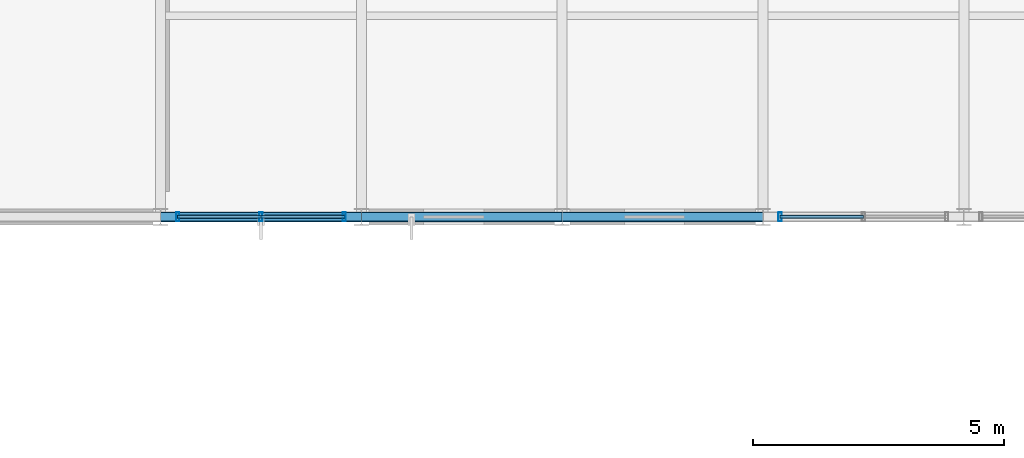
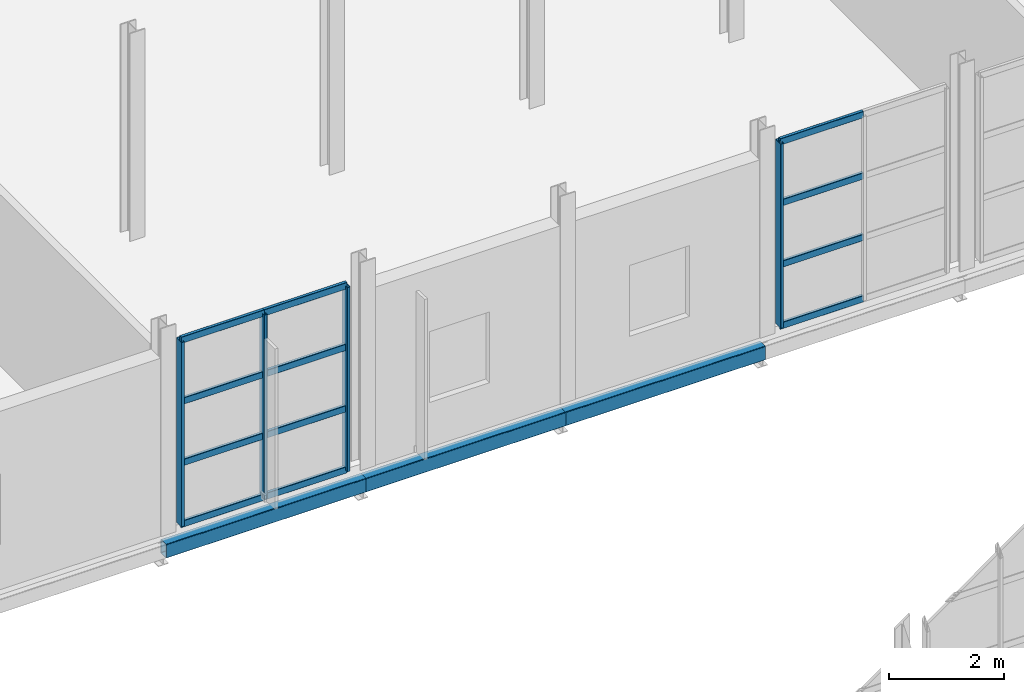
# One storey, part 82 of 153: 16 members, 3 beams, 2 elements without a shape of their own.
"""IFC4 building model written with IfcOpenShell, lengths in metres."""

from ifc_helpers import new_model, si_unit, derived_unit, direction, frame, origin, origin_2d, place, context, subcontext, project, spatial, hollow_rectangle, extrude, material, material_profile, profile_set, type_object, element, aggregate, save


model = new_model("IFC4")

# Units and contexts
model_context = context("Model", 3, precision=1e-05, world=origin(), true_north=direction((0.0, 1.0)))
body_context = subcontext(model_context, "Body", "Model", "MODEL_VIEW")
ifc_project = project(units=[si_unit("LENGTHUNIT", "METRE"), si_unit("AREAUNIT", "SQUARE_METRE"), si_unit("VOLUMEUNIT", "CUBIC_METRE"), si_unit("PLANEANGLEUNIT", "RADIAN"), si_unit("MASSUNIT", "GRAM", prefix="KILO"), derived_unit("THERMALTRANSMITTANCEUNIT", [(si_unit("POWERUNIT", "WATT"), 1), (si_unit("LENGTHUNIT", "METRE"), -2), (si_unit("THERMODYNAMICTEMPERATUREUNIT", "KELVIN"), -1)])], contexts=[model_context])

# Site, building, storey
site_placement = place(None, origin())
site = spatial("IfcSite", under=ifc_project, at=site_placement, CompositionType="ELEMENT")
building_placement = place(site_placement, origin())
building = spatial("IfcBuilding", under=site, at=building_placement, Name="Keldorne Ridge Multi-Sports Centre", CompositionType="ELEMENT")
storey_placement = place(building_placement, frame((0.0, 0.0, 9.60009765625)))
storey = spatial("IfcBuildingStorey", under=building, at=storey_placement, Name="L02", CompositionType="ELEMENT", Elevation=9.60009765625)

# Beams
ifc_material_1 = material(Name="Steel S355", Category="steel")
ifc_material_profile_1 = material_profile(ifc_material_1, hollow_rectangle(XDim=0.199951171875, YDim=0.300048828125, WallThickness=0.012451171875, InnerFilletRadius=0.012451171875, OuterFilletRadius=0.02490234375, at=origin_2d()), Name="RHS 300x200x12.5")
ifc_profile_set_1 = profile_set([ifc_material_profile_1], Name="Steel S355")
beam_type = type_object("IfcBeamType", Name="BM-SP-01", PredefinedType="SPANDREL", material=ifc_profile_set_1)
for number, where, z_axis, x_axis, name in (
    (1, (120.0, 66.0, -0.41015625), (1.0, 0.0, 0.0), (0.0, 1.0, 0.0), "L02 primary beam 3.66"),
    (2, (124.0, 66.0, -0.41015625), (1.0, 0.0, 0.0), (0.0, 1.0, 0.0), "L02 primary beam 4.66"),
    (3, (128.0, 66.0, -0.41015625), (1.0, 0.0, 0.0), (0.0, 1.0, 0.0), "L02 primary beam 5.66"),
):
    element("IfcBeam", number, at=place(storey_placement, frame(where, z_axis=z_axis, x_axis=x_axis)), inside=storey, type_object=beam_type, Name=name, PredefinedType="SPANDREL", context=body_context, shape_type="SweptSolid", body=[
        extrude(hollow_rectangle(XDim=0.199951171875, YDim=0.300048828125, WallThickness=0.012451171875, InnerFilletRadius=0.012451171875, OuterFilletRadius=0.02490234375, at=origin_2d()), origin(), (0.0, 0.0, 1.0), 4.0),
    ])

# Curtain wall, members
ifc_material_2 = material(Name="Anodized aluminium", Category="aluminium")
curtain_wall_type_1 = type_object("IfcCurtainWallType", Name="CW-CW-03", PredefinedType="NOTDEFINED", material=ifc_material_2)
curtain_wall_1_placement = place(storey_placement, origin())
curtain_wall_1 = element("IfcCurtainWall", 4, at=curtain_wall_1_placement, inside=storey, type_object=curtain_wall_type_1, Name="East Wing L02 south curtain wall 147", PredefinedType="NOTDEFINED")
ifc_material_profile_2 = material_profile(ifc_material_2, hollow_rectangle(XDim=0.06494140625, YDim=0.179931640625, WallThickness=0.00439453125, InnerFilletRadius=0.00439453125, OuterFilletRadius=0.009033203125, at=origin_2d()), Name="ALU MULLION 180x65x4.5")
ifc_profile_set_2 = profile_set([ifc_material_profile_2], Name="Anodized aluminium")
member_type_1 = type_object("IfcMemberType", Name="MEM-ML-01", PredefinedType="MULLION", material=ifc_profile_set_2)
member_1_placement = place(storey_placement, frame((120.340087890625, 66.0, 0.0), z_axis=(0.0, 0.0, 1.0), x_axis=(1.0, 0.0, 0.0)))
member_1 = element("IfcMember", 5, at=member_1_placement, type_object=member_type_1, Name="CW-147 vertical mullion 1", PredefinedType="MULLION", context=body_context, shape_type="SweptSolid", body=[
    extrude(hollow_rectangle(XDim=0.06494140625, YDim=0.179931640625, WallThickness=0.00439453125, InnerFilletRadius=0.00439453125, OuterFilletRadius=0.009033203125, at=origin_2d()), origin(), (0.0, 0.0, 1.0), 3.89990234375),
])
member_2_placement = place(storey_placement, frame((122.0, 66.0, 0.0), z_axis=(0.0, 0.0, 1.0), x_axis=(1.0, 0.0, 0.0)))
member_2 = element("IfcMember", 6, at=member_2_placement, type_object=member_type_1, Name="CW-147 vertical mullion 2", PredefinedType="MULLION", context=body_context, shape_type="SweptSolid", body=[
    extrude(hollow_rectangle(XDim=0.06494140625, YDim=0.179931640625, WallThickness=0.00439453125, InnerFilletRadius=0.00439453125, OuterFilletRadius=0.009033203125, at=origin_2d()), origin(), (0.0, 0.0, 1.0), 3.89990234375),
])
member_3_placement = place(storey_placement, frame((123.659912109375, 66.0, 0.0), z_axis=(0.0, 0.0, 1.0), x_axis=(1.0, 0.0, 0.0)))
member_3 = element("IfcMember", 7, at=member_3_placement, type_object=member_type_1, Name="CW-147 vertical mullion 3", PredefinedType="MULLION", context=body_context, shape_type="SweptSolid", body=[
    extrude(hollow_rectangle(XDim=0.06494140625, YDim=0.179931640625, WallThickness=0.00439453125, InnerFilletRadius=0.00439453125, OuterFilletRadius=0.009033203125, at=origin_2d()), origin(), (0.0, 0.0, 1.0), 3.89990234375),
])

# Curtain wall, member
curtain_wall_type_2 = type_object("IfcCurtainWallType", Name="CW-CW-04", PredefinedType="NOTDEFINED", material=ifc_material_2)
curtain_wall_2_placement = place(storey_placement, origin())
curtain_wall_2 = element("IfcCurtainWall", 8, at=curtain_wall_2_placement, inside=storey, type_object=curtain_wall_type_2, Name="East Wing L02 south curtain wall 148", PredefinedType="NOTDEFINED")
member_4_placement = place(storey_placement, frame((132.340087890625, 66.0, 0.0), z_axis=(0.0, 0.0, 1.0), x_axis=(1.0, 0.0, 0.0)))
member_4 = element("IfcMember", 9, at=member_4_placement, type_object=member_type_1, Name="CW-148 vertical mullion 1", PredefinedType="MULLION", context=body_context, shape_type="SweptSolid", body=[
    extrude(hollow_rectangle(XDim=0.06494140625, YDim=0.179931640625, WallThickness=0.00439453125, InnerFilletRadius=0.00439453125, OuterFilletRadius=0.009033203125, at=origin_2d()), origin(), (0.0, 0.0, 1.0), 3.89990234375),
])

# Member
ifc_material_profile_3 = material_profile(ifc_material_2, hollow_rectangle(XDim=0.06494140625, YDim=0.139892578125, WallThickness=0.00439453125, InnerFilletRadius=0.00439453125, OuterFilletRadius=0.009033203125, at=origin_2d()), Name="ALU TRANSOM 140x65x4.5")
ifc_profile_set_3 = profile_set([ifc_material_profile_3], Name="Anodized aluminium")
member_type_2 = type_object("IfcMemberType", Name="MEM-TR-01", PredefinedType="USERDEFINED", material=ifc_profile_set_3)
member_5_placement = place(storey_placement, frame((120.340087890625, 66.0, 0.0), z_axis=(1.0, 0.0, 0.0), x_axis=(0.0, 1.0, 0.0)))
member_5 = element("IfcMember", 10, at=member_5_placement, type_object=member_type_2, Name="CW-147 transom 1.1", ObjectType="TRANSOM", PredefinedType="USERDEFINED", context=body_context, shape_type="SweptSolid", body=[
    extrude(hollow_rectangle(XDim=0.06494140625, YDim=0.139892578125, WallThickness=0.00439453125, InnerFilletRadius=0.00439453125, OuterFilletRadius=0.009033203125, at=origin_2d()), origin(), (0.0, 0.0, 1.0), 1.659912109375),
])

member_6_placement = place(storey_placement, frame((120.340087890625, 66.0, 1.2998046875), z_axis=(1.0, 0.0, 0.0), x_axis=(0.0, 1.0, 0.0)))
member_6 = element("IfcMember", 11, at=member_6_placement, type_object=member_type_2, Name="CW-147 transom 1.2", ObjectType="TRANSOM", PredefinedType="USERDEFINED", context=body_context, shape_type="SweptSolid", body=[
    extrude(hollow_rectangle(XDim=0.06494140625, YDim=0.139892578125, WallThickness=0.00439453125, InnerFilletRadius=0.00439453125, OuterFilletRadius=0.009033203125, at=origin_2d()), origin(), (0.0, 0.0, 1.0), 1.659912109375),
])

member_7_placement = place(storey_placement, frame((120.340087890625, 66.0, 2.599853515625), z_axis=(1.0, 0.0, 0.0), x_axis=(0.0, 1.0, 0.0)))
member_7 = element("IfcMember", 12, at=member_7_placement, type_object=member_type_2, Name="CW-147 transom 1.3", ObjectType="TRANSOM", PredefinedType="USERDEFINED", context=body_context, shape_type="SweptSolid", body=[
    extrude(hollow_rectangle(XDim=0.06494140625, YDim=0.139892578125, WallThickness=0.00439453125, InnerFilletRadius=0.00439453125, OuterFilletRadius=0.009033203125, at=origin_2d()), origin(), (0.0, 0.0, 1.0), 1.659912109375),
])

member_8_placement = place(storey_placement, frame((120.340087890625, 66.0, 3.89990234375), z_axis=(1.0, 0.0, 0.0), x_axis=(0.0, 1.0, 0.0)))
member_8 = element("IfcMember", 13, at=member_8_placement, type_object=member_type_2, Name="CW-147 transom 1.4", ObjectType="TRANSOM", PredefinedType="USERDEFINED", context=body_context, shape_type="SweptSolid", body=[
    extrude(hollow_rectangle(XDim=0.06494140625, YDim=0.139892578125, WallThickness=0.00439453125, InnerFilletRadius=0.00439453125, OuterFilletRadius=0.009033203125, at=origin_2d()), origin(), (0.0, 0.0, 1.0), 1.659912109375),
])

member_9_placement = place(storey_placement, frame((122.0, 66.0, 0.0), z_axis=(1.0, 0.0, 0.0), x_axis=(0.0, 1.0, 0.0)))
member_9 = element("IfcMember", 14, at=member_9_placement, type_object=member_type_2, Name="CW-147 transom 2.1", ObjectType="TRANSOM", PredefinedType="USERDEFINED", context=body_context, shape_type="SweptSolid", body=[
    extrude(hollow_rectangle(XDim=0.06494140625, YDim=0.139892578125, WallThickness=0.00439453125, InnerFilletRadius=0.00439453125, OuterFilletRadius=0.009033203125, at=origin_2d()), origin(), (0.0, 0.0, 1.0), 1.659912109375),
])

member_10_placement = place(storey_placement, frame((122.0, 66.0, 1.2998046875), z_axis=(1.0, 0.0, 0.0), x_axis=(0.0, 1.0, 0.0)))
member_10 = element("IfcMember", 15, at=member_10_placement, type_object=member_type_2, Name="CW-147 transom 2.2", ObjectType="TRANSOM", PredefinedType="USERDEFINED", context=body_context, shape_type="SweptSolid", body=[
    extrude(hollow_rectangle(XDim=0.06494140625, YDim=0.139892578125, WallThickness=0.00439453125, InnerFilletRadius=0.00439453125, OuterFilletRadius=0.009033203125, at=origin_2d()), origin(), (0.0, 0.0, 1.0), 1.659912109375),
])

member_11_placement = place(storey_placement, frame((122.0, 66.0, 2.599853515625), z_axis=(1.0, 0.0, 0.0), x_axis=(0.0, 1.0, 0.0)))
member_11 = element("IfcMember", 16, at=member_11_placement, type_object=member_type_2, Name="CW-147 transom 2.3", ObjectType="TRANSOM", PredefinedType="USERDEFINED", context=body_context, shape_type="SweptSolid", body=[
    extrude(hollow_rectangle(XDim=0.06494140625, YDim=0.139892578125, WallThickness=0.00439453125, InnerFilletRadius=0.00439453125, OuterFilletRadius=0.009033203125, at=origin_2d()), origin(), (0.0, 0.0, 1.0), 1.659912109375),
])

member_12_placement = place(storey_placement, frame((122.0, 66.0, 3.89990234375), z_axis=(1.0, 0.0, 0.0), x_axis=(0.0, 1.0, 0.0)))
member_12 = element("IfcMember", 17, at=member_12_placement, type_object=member_type_2, Name="CW-147 transom 2.4", ObjectType="TRANSOM", PredefinedType="USERDEFINED", context=body_context, shape_type="SweptSolid", body=[
    extrude(hollow_rectangle(XDim=0.06494140625, YDim=0.139892578125, WallThickness=0.00439453125, InnerFilletRadius=0.00439453125, OuterFilletRadius=0.009033203125, at=origin_2d()), origin(), (0.0, 0.0, 1.0), 1.659912109375),
])

aggregate(curtain_wall_1, [member_1, member_2, member_3, member_5, member_6, member_7, member_8, member_9, member_10, member_11, member_12])

member_13_placement = place(storey_placement, frame((132.340087890625, 66.0, 0.0), z_axis=(1.0, 0.0, 0.0), x_axis=(0.0, 1.0, 0.0)))
member_13 = element("IfcMember", 18, at=member_13_placement, type_object=member_type_2, Name="CW-148 transom 1.1", ObjectType="TRANSOM", PredefinedType="USERDEFINED", context=body_context, shape_type="SweptSolid", body=[
    extrude(hollow_rectangle(XDim=0.06494140625, YDim=0.139892578125, WallThickness=0.00439453125, InnerFilletRadius=0.00439453125, OuterFilletRadius=0.009033203125, at=origin_2d()), origin(), (0.0, 0.0, 1.0), 1.659912109375),
])

member_14_placement = place(storey_placement, frame((132.340087890625, 66.0, 1.2998046875), z_axis=(1.0, 0.0, 0.0), x_axis=(0.0, 1.0, 0.0)))
member_14 = element("IfcMember", 19, at=member_14_placement, type_object=member_type_2, Name="CW-148 transom 1.2", ObjectType="TRANSOM", PredefinedType="USERDEFINED", context=body_context, shape_type="SweptSolid", body=[
    extrude(hollow_rectangle(XDim=0.06494140625, YDim=0.139892578125, WallThickness=0.00439453125, InnerFilletRadius=0.00439453125, OuterFilletRadius=0.009033203125, at=origin_2d()), origin(), (0.0, 0.0, 1.0), 1.659912109375),
])

member_15_placement = place(storey_placement, frame((132.340087890625, 66.0, 2.599853515625), z_axis=(1.0, 0.0, 0.0), x_axis=(0.0, 1.0, 0.0)))
member_15 = element("IfcMember", 20, at=member_15_placement, type_object=member_type_2, Name="CW-148 transom 1.3", ObjectType="TRANSOM", PredefinedType="USERDEFINED", context=body_context, shape_type="SweptSolid", body=[
    extrude(hollow_rectangle(XDim=0.06494140625, YDim=0.139892578125, WallThickness=0.00439453125, InnerFilletRadius=0.00439453125, OuterFilletRadius=0.009033203125, at=origin_2d()), origin(), (0.0, 0.0, 1.0), 1.659912109375),
])

member_16_placement = place(storey_placement, frame((132.340087890625, 66.0, 3.89990234375), z_axis=(1.0, 0.0, 0.0), x_axis=(0.0, 1.0, 0.0)))
member_16 = element("IfcMember", 21, at=member_16_placement, type_object=member_type_2, Name="CW-148 transom 1.4", ObjectType="TRANSOM", PredefinedType="USERDEFINED", context=body_context, shape_type="SweptSolid", body=[
    extrude(hollow_rectangle(XDim=0.06494140625, YDim=0.139892578125, WallThickness=0.00439453125, InnerFilletRadius=0.00439453125, OuterFilletRadius=0.009033203125, at=origin_2d()), origin(), (0.0, 0.0, 1.0), 1.659912109375),
])

aggregate(curtain_wall_2, [member_4, member_13, member_14, member_15, member_16])

save(model, "model.ifc")
